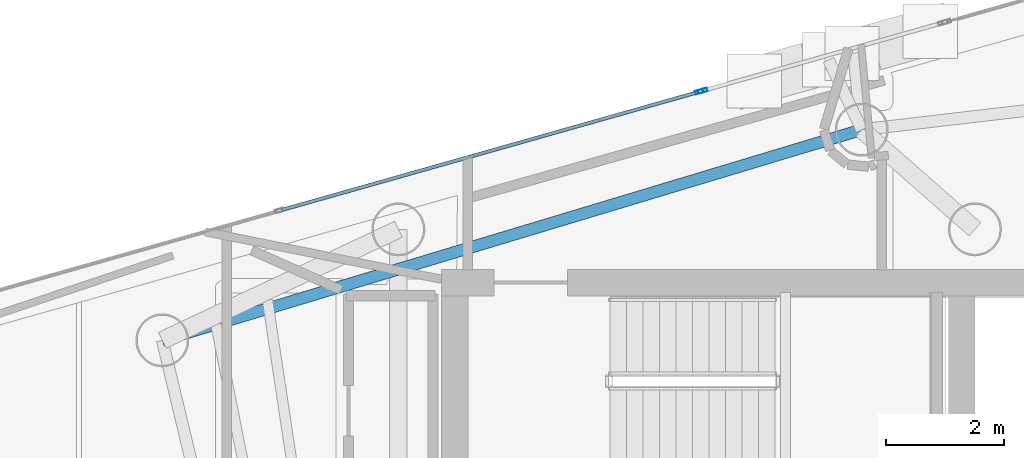
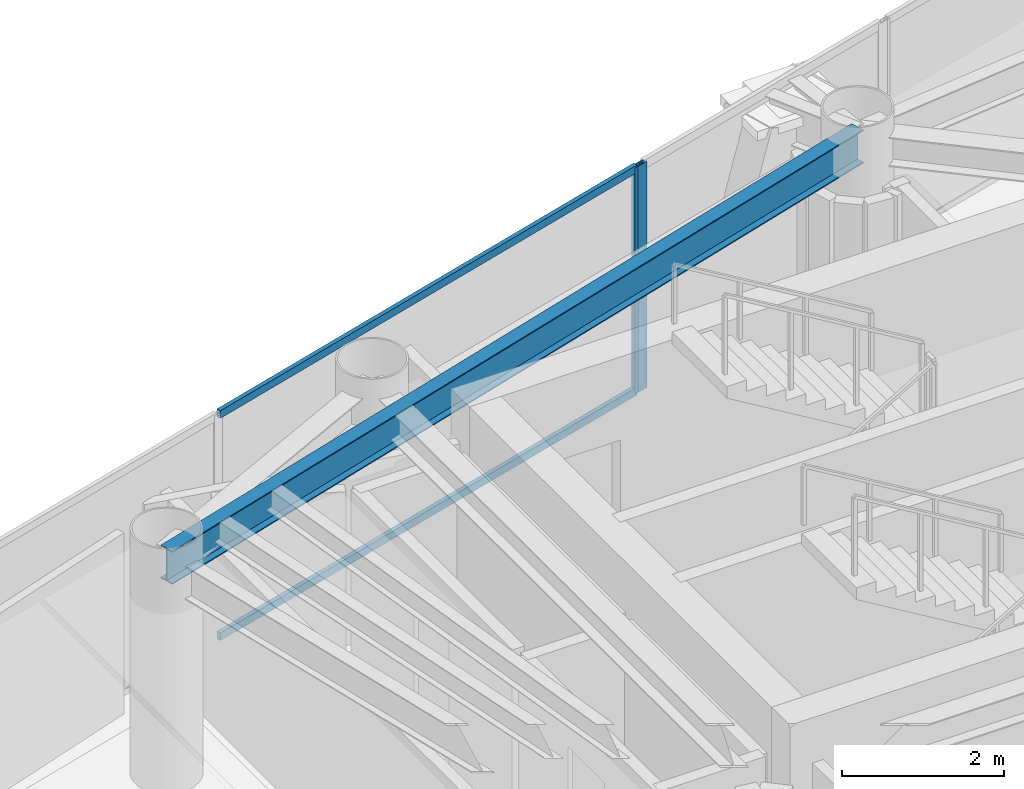
# One storey, part 10 of 20: 4 members, 1 beam, 2 elements without a shape of their own.
"""IFC4 building model written with IfcOpenShell, lengths in metres."""

from ifc_helpers import new_model, si_unit, direction, frame, origin, origin_2d, place, context, subcontext, project, spatial, hollow_rectangle, i_section, extrude, material, layer, layer_set, material_profile, profile_set, type_object, element, aggregate, save


model = new_model("IFC4")

# Units and contexts
model_context = context("Model", 3, precision=1e-05, world=origin(), true_north=direction((0.0, 1.0)))
body_context = subcontext(model_context, "Body", "Model", "MODEL_VIEW")
ifc_project = project(units=[si_unit("LENGTHUNIT", "METRE"), si_unit("AREAUNIT", "SQUARE_METRE"), si_unit("VOLUMEUNIT", "CUBIC_METRE"), si_unit("PLANEANGLEUNIT", "RADIAN"), si_unit("MASSUNIT", "GRAM", prefix="KILO")], contexts=[model_context])

# Site, building, storey
site_placement = place(None, origin())
site = spatial("IfcSite", under=ifc_project, at=site_placement, CompositionType="ELEMENT")
building_placement = place(site_placement, origin())
building = spatial("IfcBuilding", under=site, at=building_placement, Name="Qianvela Tower", CompositionType="ELEMENT")
storey_placement = place(building_placement, frame((0.0, 0.0, 317.60009765625)))
storey = spatial("IfcBuildingStorey", under=building, at=storey_placement, Name="L82", CompositionType="ELEMENT", Elevation=317.60009765625)

# Beam
ifc_material_1 = material(Name="Steel Q355B", Category="steel")
ifc_material_profile_1 = material_profile(ifc_material_1, i_section(OverallWidth=0.199951171875, OverallDepth=0.5, WebThickness=0.010009765625, FlangeThickness=0.01611328125, at=origin_2d()), Name="HN500x200x10x16")
ifc_profile_set_1 = profile_set([ifc_material_profile_1], Name="Steel Q355B")
beam_type = type_object("IfcBeamType", Name="BM-HN500-GIRD", PredefinedType="BEAM", material=ifc_profile_set_1)
beam_placement = place(storey_placement, frame((36.47607421875, 35.242919921875, 3.14794921875), z_axis=(-0.957535726794, -0.288314640478, 0.0), x_axis=(0.288314640478, -0.957535726794, 0.0)))
element("IfcBeam", 1, at=beam_placement, inside=storey, type_object=beam_type, Name="L82 Perimeter Ring Spandrel Girder 2", PredefinedType="BEAM", context=body_context, shape_type="SweptSolid", body=[
    extrude(i_section(OverallWidth=0.199951171875, OverallDepth=0.5, WebThickness=0.010009765625, FlangeThickness=0.01611328125, at=origin_2d()), origin(), (0.0, 0.0, 1.0), 12.41650390625),
])

# Curtain wall, member
ifc_material_2 = material(Name="Anodised Architectural Aluminium and Insulated Spandrel Panel", Category="aluminium")
ifc_layer_1 = layer(ifc_material_2, 0.179931640625)
ifc_layer_set_1 = layer_set([ifc_layer_1], Name="Anodised Architectural Aluminium and Insulated Spandrel Panel")
curtain_wall_type_1 = type_object("IfcCurtainWallType", Name="CW-BRACEBAY", PredefinedType="USERDEFINED", material=ifc_layer_set_1)
curtain_wall_1_placement = place(storey_placement, origin())
curtain_wall_1 = element("IfcCurtainWall", 2, at=curtain_wall_1_placement, inside=storey, type_object=curtain_wall_type_1, Name="L82 CW-BRACEBAY Curtain Wall 02B", ObjectType="CURTAIN_WALL_SYSTEM", PredefinedType="USERDEFINED")
ifc_material_3 = material(Name="Anodised Architectural Aluminium 6063-T6", Category="aluminium")
ifc_material_profile_2 = material_profile(ifc_material_3, hollow_rectangle(XDim=0.06494140625, YDim=0.159912109375, WallThickness=0.0048828125, at=origin_2d()), Name="ALU-MULL-65x160")
ifc_profile_set_2 = profile_set([ifc_material_profile_2], Name="Anodised Architectural Aluminium 6063-T6")
member_type_1 = type_object("IfcMemberType", Name="CW-BRACEBAY-MULL", PredefinedType="MULLION", material=ifc_profile_set_2)
member_1_placement = place(storey_placement, frame((33.774169921875, 35.905029296875, 0.0), z_axis=(0.0, 0.0, 1.0), x_axis=(0.272391367522, -0.962186542672, 0.0)))
member_1 = element("IfcMember", 3, at=member_1_placement, type_object=member_type_1, Name="CW-9 mullion 2", PredefinedType="MULLION", context=body_context, shape_type="SweptSolid", body=[
    extrude(hollow_rectangle(XDim=0.06494140625, YDim=0.159912109375, WallThickness=0.0048828125, at=origin_2d()), origin(), (0.0, 0.0, 1.0), 3.39990234375),
])
aggregate(curtain_wall_1, [member_1])

# Curtain wall, members
ifc_material_4 = material(Name="Anodised Architectural Aluminium and Low-E Glass", Category="aluminium")
ifc_layer_2 = layer(ifc_material_4, 0.14990234375)
ifc_layer_set_2 = layer_set([ifc_layer_2], Name="Anodised Architectural Aluminium and Low-E Glass")
curtain_wall_type_2 = type_object("IfcCurtainWallType", Name="CW-COLIV-Z78", PredefinedType="USERDEFINED", material=ifc_layer_set_2)
curtain_wall_2_placement = place(storey_placement, origin())
curtain_wall_2 = element("IfcCurtainWall", 4, at=curtain_wall_2_placement, inside=storey, type_object=curtain_wall_type_2, Name="L82 CW-COLIV-Z78 Curtain Wall 02C", ObjectType="CURTAIN_WALL_SYSTEM", PredefinedType="USERDEFINED")
ifc_material_5 = material(Name="Anodised Architectural Aluminium 6063-T6", Category="aluminium")
ifc_material_profile_3 = material_profile(ifc_material_5, hollow_rectangle(XDim=0.06005859375, YDim=0.139892578125, WallThickness=0.00439453125, at=origin_2d()), Name="ALU-MULL-60x140")
ifc_profile_set_3 = profile_set([ifc_material_profile_3], Name="Anodised Architectural Aluminium 6063-T6")
member_type_2 = type_object("IfcMemberType", Name="CW-COLIV-Z78-MULL", PredefinedType="MULLION", material=ifc_profile_set_3)
member_2_placement = place(storey_placement, frame((33.714111328125, 35.887939453125, 0.0), z_axis=(0.0, 0.0, 1.0), x_axis=(0.272401143792, -0.962183774994, 0.0)))
member_2 = element("IfcMember", 5, at=member_2_placement, type_object=member_type_2, Name="CW-6 mullion 1", PredefinedType="MULLION", context=body_context, shape_type="SweptSolid", body=[
    extrude(hollow_rectangle(XDim=0.06005859375, YDim=0.139892578125, WallThickness=0.00439453125, at=origin_2d()), origin(), (0.0, 0.0, 1.0), 3.39990234375),
])
ifc_material_6 = material(Name="Anodised Architectural Aluminium 6063-T6", Category="aluminium")
ifc_material_profile_4 = material_profile(ifc_material_6, hollow_rectangle(XDim=0.06005859375, YDim=0.114990234375, WallThickness=0.00390625, at=origin_2d()), Name="ALU-TRAN-60x115")
ifc_profile_set_4 = profile_set([ifc_material_profile_4], Name="Anodised Architectural Aluminium 6063-T6")
member_type_3 = type_object("IfcMemberType", Name="CW-COLIV-Z78-TRAN", PredefinedType="USERDEFINED", material=ifc_profile_set_4)
member_3_placement = place(storey_placement, frame((33.685302734375, 35.879638671875, 0.02978515625), z_axis=(-0.962189641641, -0.272380420587, 0.0), x_axis=(0.272380420587, -0.962189641641, 0.0)))
member_3 = element("IfcMember", 6, at=member_3_placement, type_object=member_type_3, Name="CW-6 transom 1.1", ObjectType="TRANSOM", PredefinedType="USERDEFINED", context=body_context, shape_type="SweptSolid", body=[
    extrude(hollow_rectangle(XDim=0.06005859375, YDim=0.114990234375, WallThickness=0.00390625, at=origin_2d()), origin(), (0.0, 0.0, 1.0), 7.35888671875),
])
member_4_placement = place(storey_placement, frame((33.685302734375, 35.879638671875, 3.369873046875), z_axis=(-0.962189641641, -0.272380420587, 0.0), x_axis=(0.272380420587, -0.962189641641, 0.0)))
member_4 = element("IfcMember", 7, at=member_4_placement, type_object=member_type_3, Name="CW-6 transom 1.2", ObjectType="TRANSOM", PredefinedType="USERDEFINED", context=body_context, shape_type="SweptSolid", body=[
    extrude(hollow_rectangle(XDim=0.06005859375, YDim=0.114990234375, WallThickness=0.00390625, at=origin_2d()), origin(), (0.0, 0.0, 1.0), 7.35888671875),
])
aggregate(curtain_wall_2, [member_2, member_3, member_4])

save(model, "model.ifc")
